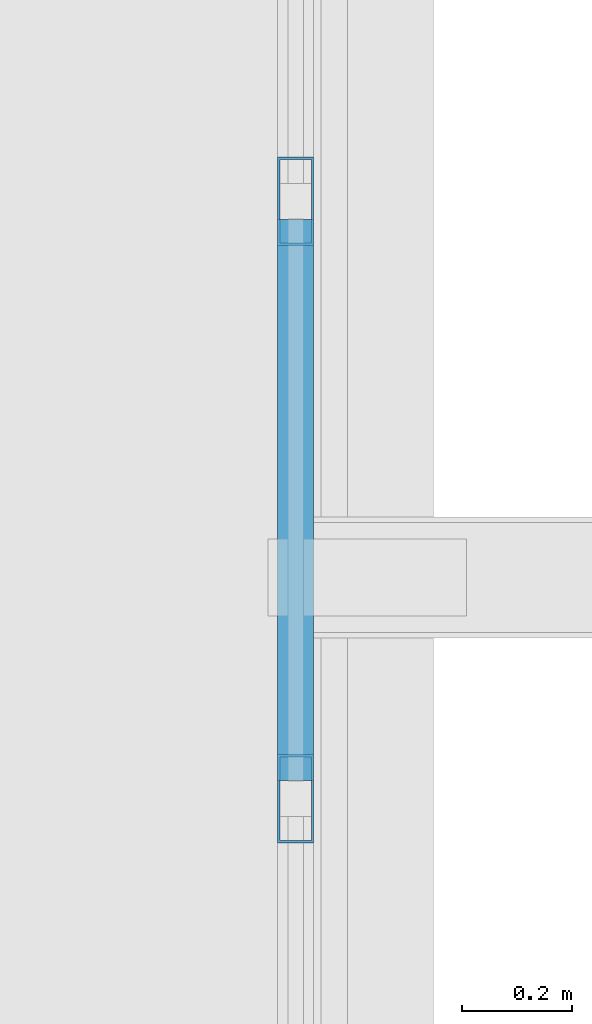
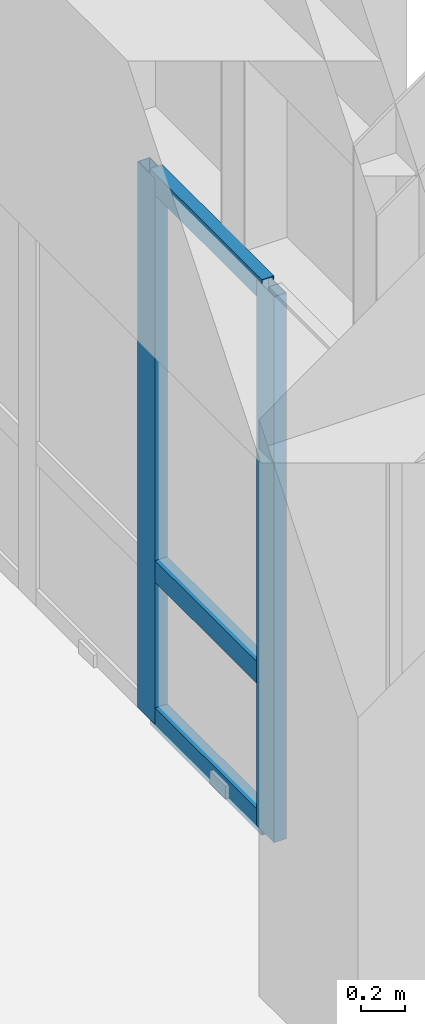
# One storey, part 37 of 101: 5 members, 1 element without a shape of its own.
"""IFC4 building model written with IfcOpenShell, lengths in metres."""

from ifc_helpers import new_model, si_unit, direction, frame, origin, origin_2d, place, context, subcontext, project, spatial, hollow_rectangle, extrude, material, layer, layer_set, material_profile, profile_set, type_object, element, aggregate, save


model = new_model("IFC4")

# Units and contexts
model_context = context("Model", 3, precision=1e-05, world=origin(), true_north=direction((0.0, 1.0)))
body_context = subcontext(model_context, "Body", "Model", "MODEL_VIEW")
ifc_project = project(units=[si_unit("LENGTHUNIT", "METRE"), si_unit("AREAUNIT", "SQUARE_METRE"), si_unit("VOLUMEUNIT", "CUBIC_METRE"), si_unit("PLANEANGLEUNIT", "RADIAN"), si_unit("MASSUNIT", "GRAM", prefix="KILO")], contexts=[model_context])

# Site, building, storey
site_placement = place(None, origin())
site = spatial("IfcSite", under=ifc_project, at=site_placement, CompositionType="ELEMENT")
building_placement = place(site_placement, origin())
building = spatial("IfcBuilding", under=site, at=building_placement, Name="Nakhvara Creek Congress Hotel", CompositionType="ELEMENT")
storey_placement = place(building_placement, frame((0.0, 0.0, 16.199951171875)))
storey = spatial("IfcBuildingStorey", under=building, at=storey_placement, Name="L03", CompositionType="ELEMENT", Elevation=16.199951171875)

# Curtain wall, members
ifc_material_1 = material(Name="Bronze-anodised aluminium AW-6063-T6 and double-silver low-E glass", Category="aluminium")
ifc_layer = layer(ifc_material_1, 0.199951171875)
ifc_layer_set = layer_set([ifc_layer], Name="Bronze-anodised aluminium AW-6063-T6 and double-silver low-E glass")
curtain_wall_type = type_object("IfcCurtainWallType", Name="CW-HTL-UNIT", PredefinedType="USERDEFINED", material=ifc_layer_set)
curtain_wall_placement = place(storey_placement, origin())
curtain_wall = element("IfcCurtainWall", 1, at=curtain_wall_placement, inside=storey, type_object=curtain_wall_type, Name="Curtain Wall CW154", ObjectType="UNITISED", PredefinedType="USERDEFINED")
ifc_material_2 = material(Name="Bronze-anodised aluminium AW-6063-T6", Category="aluminium")
ifc_material_profile_1 = material_profile(ifc_material_2, hollow_rectangle(XDim=0.06494140625, YDim=0.159912109375, WallThickness=0.00390625, at=origin_2d()), Name="ALU-MULL 65x160x4", Category="LoadBearing")
ifc_profile_set_1 = profile_set([ifc_material_profile_1], Name="Bronze-anodised aluminium AW-6063-T6")
member_type_1 = type_object("IfcMemberType", Name="CW-MULL-160", PredefinedType="MULLION", material=ifc_profile_set_1)
member_1_placement = place(storey_placement, frame((179.60009765625, 31.4326171875, 0.0), z_axis=(0.0, 0.0, 1.0), x_axis=(1.0, 0.0, 0.0)))
member_1 = element("IfcMember", 2, at=member_1_placement, type_object=member_type_1, Name="CW154 mullion 3", PredefinedType="MULLION", context=body_context, shape_type="SweptSolid", body=[
    extrude(hollow_rectangle(XDim=0.06494140625, YDim=0.159912109375, WallThickness=0.00390625, at=origin_2d()), origin(), (0.0, 0.0, 1.0), 3.031982421875),
])
member_2_placement = place(storey_placement, frame((179.60009765625, 30.3486328125, 0.0), z_axis=(0.0, 0.0, 1.0), x_axis=(1.0, 0.0, 0.0)))
member_2 = element("IfcMember", 3, at=member_2_placement, type_object=member_type_1, Name="CW154 mullion 4", PredefinedType="MULLION", context=body_context, shape_type="SweptSolid", body=[
    extrude(hollow_rectangle(XDim=0.06494140625, YDim=0.159912109375, WallThickness=0.00390625, at=origin_2d()), origin(), (0.0, 0.0, 1.0), 3.031982421875),
])
ifc_material_profile_2 = material_profile(ifc_material_2, hollow_rectangle(XDim=0.06494140625, YDim=0.1201171875, WallThickness=0.00390625, at=origin_2d()), Name="ALU-TRAN 65x120x4", Category="LoadBearing")
ifc_profile_set_2 = profile_set([ifc_material_profile_2], Name="Bronze-anodised aluminium AW-6063-T6")
member_type_2 = type_object("IfcMemberType", Name="CW-TRAN-120", PredefinedType="USERDEFINED", material=ifc_profile_set_2)
member_3_placement = place(storey_placement, frame((179.60009765625, 31.39990234375, 0.032470703125), z_axis=(0.0, -1.0, 0.0), x_axis=(1.0, 0.0, 0.0)))
member_3 = element("IfcMember", 4, at=member_3_placement, type_object=member_type_2, Name="CW154 transom 3.1", ObjectType="TRANSOM", PredefinedType="USERDEFINED", context=body_context, shape_type="SweptSolid", body=[
    extrude(hollow_rectangle(XDim=0.06494140625, YDim=0.1201171875, WallThickness=0.00390625, at=origin_2d()), origin(), (0.0, 0.0, 1.0), 1.0185546875),
])
member_4_placement = place(storey_placement, frame((179.60009765625, 31.39990234375, 0.85009765625), z_axis=(0.0, -1.0, 0.0), x_axis=(1.0, 0.0, 0.0)))
member_4 = element("IfcMember", 5, at=member_4_placement, type_object=member_type_2, Name="CW154 transom 3.2", ObjectType="TRANSOM", PredefinedType="USERDEFINED", context=body_context, shape_type="SweptSolid", body=[
    extrude(hollow_rectangle(XDim=0.06494140625, YDim=0.1201171875, WallThickness=0.00390625, at=origin_2d()), origin(), (0.0, 0.0, 1.0), 1.0185546875),
])
member_5_placement = place(storey_placement, frame((179.60009765625, 31.39990234375, 2.99951171875), z_axis=(0.0, -1.0, 0.0), x_axis=(1.0, 0.0, 0.0)))
member_5 = element("IfcMember", 6, at=member_5_placement, type_object=member_type_2, Name="CW154 transom 3.3", ObjectType="TRANSOM", PredefinedType="USERDEFINED", context=body_context, shape_type="SweptSolid", body=[
    extrude(hollow_rectangle(XDim=0.06494140625, YDim=0.1201171875, WallThickness=0.00390625, at=origin_2d()), origin(), (0.0, 0.0, 1.0), 1.0185546875),
])
aggregate(curtain_wall, [member_1, member_2, member_3, member_4, member_5])

save(model, "model.ifc")
